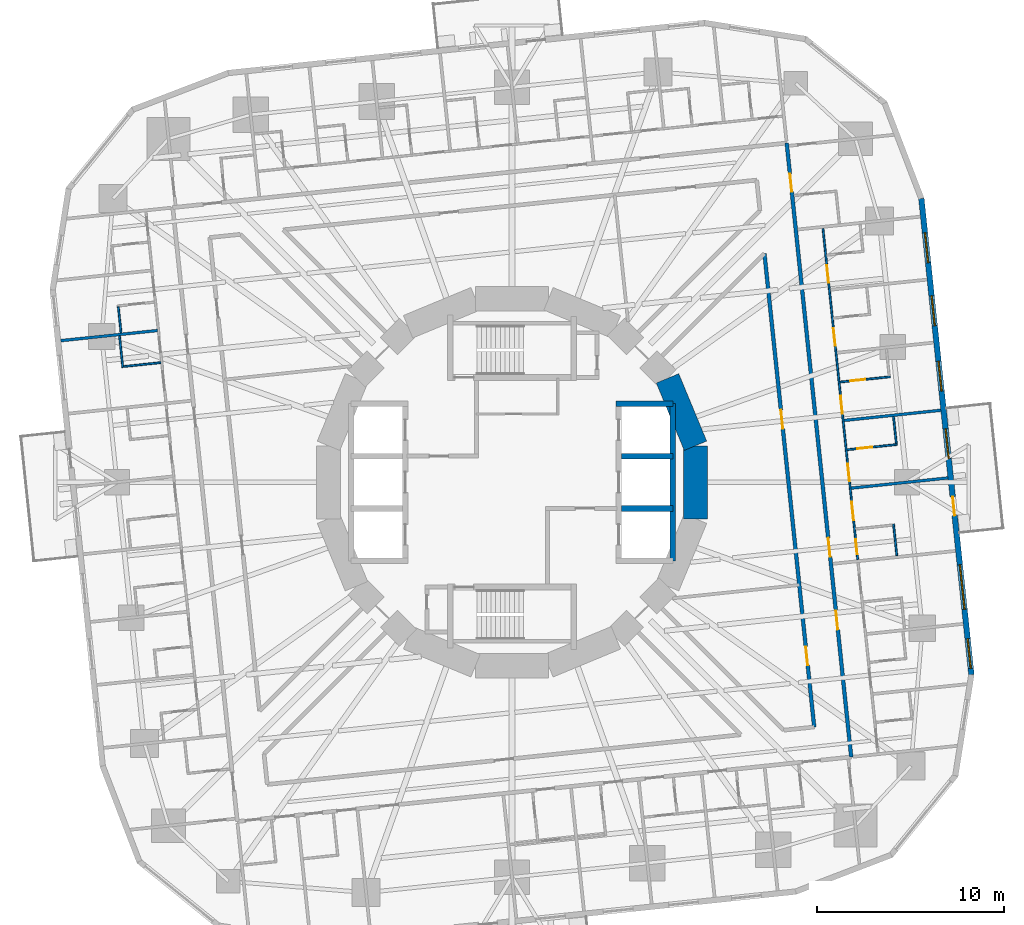
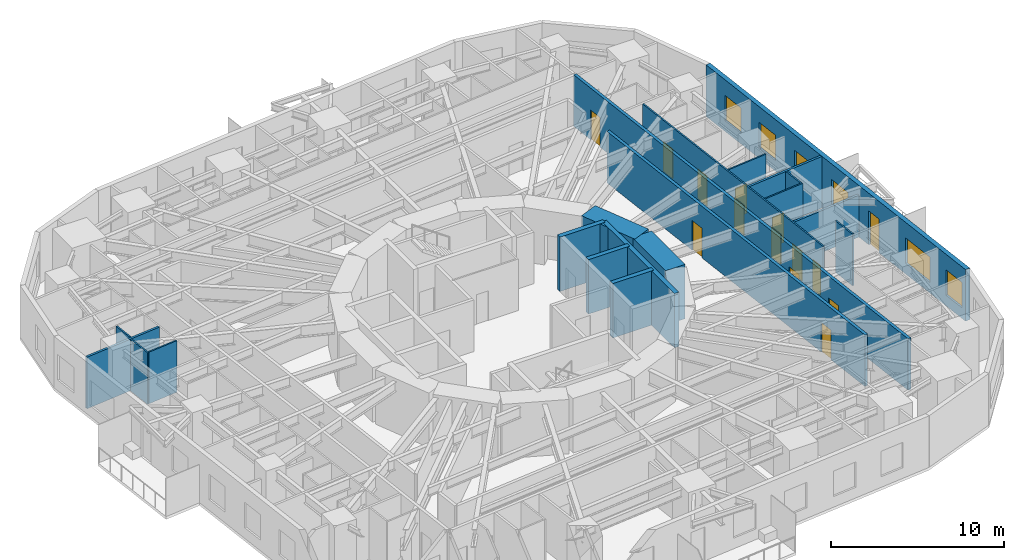
# One storey, part 9 of 15: 20 walls, 14 doors, 6 windows, 20 openings.
"""IFC4 building model written with IfcOpenShell, lengths in metres."""

from ifc_helpers import new_model, si_unit, direction, frame, frame_2d, origin, place, context, subcontext, project, spatial, rectangle, extrude, material, layer, layer_set, type_object, element, fill, save


model = new_model("IFC4")

# Units and contexts
model_context = context("Model", 3, precision=1e-05, world=origin(), true_north=direction((0.0, 1.0)))
body_context = subcontext(model_context, "Body", "Model", "MODEL_VIEW")
ifc_project = project(units=[si_unit("LENGTHUNIT", "METRE"), si_unit("AREAUNIT", "SQUARE_METRE"), si_unit("VOLUMEUNIT", "CUBIC_METRE"), si_unit("PLANEANGLEUNIT", "RADIAN"), si_unit("MASSUNIT", "GRAM", prefix="KILO")], contexts=[model_context])

# Site, building, storey
site_placement = place(None, origin())
site = spatial("IfcSite", under=ifc_project, at=site_placement, CompositionType="ELEMENT")
building_placement = place(site_placement, origin())
building = spatial("IfcBuilding", under=site, at=building_placement, Name="Nakasero Lantern House", CompositionType="ELEMENT")
storey_placement = place(building_placement, frame((0.0, 0.0, 68.199951171875)))
storey = spatial("IfcBuildingStorey", under=building, at=storey_placement, Name="L16", CompositionType="ELEMENT", Elevation=68.199951171875)

# Wall, openings, doors
ifc_material_1 = material(Name="Blockwork", Category="masonry")
ifc_layer_1 = layer(ifc_material_1, 0.10009765625)
ifc_layer_set_1 = layer_set([ifc_layer_1], Name="Cluster hall wall 100")
wall_type_1 = type_object("IfcWallType", Name="Cluster hall wall 100", PredefinedType="PARTITIONING", material=ifc_layer_set_1)
wall_1_placement = place(storey_placement, frame((18.484375, -4.143798828125, 0.0), z_axis=(0.0, 0.0, 1.0), x_axis=(-0.104524313484, 0.994522331519, 0.0)))
wall_1 = element("IfcWall", 1, at=wall_1_placement, inside=storey, type_object=wall_type_1, Name="Cluster hall wall L16 HW0-1", PredefinedType="PARTITIONING", context=body_context, shape_type="SweptSolid", body=[
    extrude(rectangle(XDim=17.8193359375, YDim=0.10009765625, at=frame_2d((8.90966796875, 0.0))), origin(), (0.0, 0.0, 1.0), 3.650146484375),
])
opening_1_placement = place(wall_1_placement, frame((2.125, 0.0, 0.0)))
opening_1 = element("IfcOpeningElement", 2, at=opening_1_placement, cuts=wall_1, Name="Opening D03", PredefinedType="OPENING", context=body_context, shape_type="SweptSolid", body=[
    extrude(rectangle(XDim=1.0, YDim=2.10009765625, at=frame_2d((0.5, 1.050048828125))), frame((0.0, 0.070068359375, 0.0), z_axis=(0.0, -1.0, 0.0), x_axis=(1.0, 0.0, 0.0)), (0.0, 0.0, 1.0), 0.14013671875),
])
opening_2_placement = place(wall_1_placement, frame((0.300048828125, 0.0, 0.0)))
opening_2 = element("IfcOpeningElement", 3, at=opening_2_placement, cuts=wall_1, Name="Opening D02", PredefinedType="OPENING", context=body_context, shape_type="SweptSolid", body=[
    extrude(rectangle(XDim=0.800048828125, YDim=2.10009765625, at=frame_2d((0.39990234375, 1.050048828125))), frame((0.0, 0.070068359375, 0.0), z_axis=(0.0, -1.0, 0.0), x_axis=(1.0, 0.0, 0.0)), (0.0, 0.0, 1.0), 0.14013671875),
])
opening_3_placement = place(wall_1_placement, frame((4.22119140625, 0.0, 0.0)))
opening_3 = element("IfcOpeningElement", 4, at=opening_3_placement, cuts=wall_1, Name="Opening D01", PredefinedType="OPENING", context=body_context, shape_type="SweptSolid", body=[
    extrude(rectangle(XDim=0.949951171875, YDim=2.10009765625, at=frame_2d((0.47509765625, 1.050048828125))), frame((0.0, 0.070068359375, 0.0), z_axis=(0.0, -1.0, 0.0), x_axis=(1.0, 0.0, 0.0)), (0.0, 0.0, 1.0), 0.14013671875),
])
opening_4_placement = place(wall_1_placement, frame((7.859619140625, 0.0, 0.0)))
opening_4 = element("IfcOpeningElement", 5, at=opening_4_placement, cuts=wall_1, Name="Opening D01", PredefinedType="OPENING", context=body_context, shape_type="SweptSolid", body=[
    extrude(rectangle(XDim=0.949951171875, YDim=2.10009765625, at=frame_2d((0.47509765625, 1.050048828125))), frame((0.0, 0.070068359375, 0.0), z_axis=(0.0, -1.0, 0.0), x_axis=(1.0, 0.0, 0.0)), (0.0, 0.0, 1.0), 0.14013671875),
])
opening_5_placement = place(wall_1_placement, frame((11.498291015625, 0.0, 0.0)))
opening_5 = element("IfcOpeningElement", 6, at=opening_5_placement, cuts=wall_1, Name="Opening D01", PredefinedType="OPENING", context=body_context, shape_type="SweptSolid", body=[
    extrude(rectangle(XDim=0.949951171875, YDim=2.10009765625, at=frame_2d((0.47509765625, 1.050048828125))), frame((0.0, 0.070068359375, 0.0), z_axis=(0.0, -1.0, 0.0), x_axis=(1.0, 0.0, 0.0)), (0.0, 0.0, 1.0), 0.14013671875),
])
opening_6_placement = place(wall_1_placement, frame((14.8837890625, 0.0, 0.0)))
opening_6 = element("IfcOpeningElement", 7, at=opening_6_placement, cuts=wall_1, Name="Opening D01", PredefinedType="OPENING", context=body_context, shape_type="SweptSolid", body=[
    extrude(rectangle(XDim=0.949951171875, YDim=2.10009765625, at=frame_2d((0.47509765625, 1.050048828125))), frame((0.0, 0.070068359375, 0.0), z_axis=(0.0, -1.0, 0.0), x_axis=(1.0, 0.0, 0.0)), (0.0, 0.0, 1.0), 0.14013671875),
])
ifc_material_2 = material(Name="Timber C24", Category="wood")
door_type_1 = type_object("IfcDoorType", Name="Bedroom door FD30S 950", OperationType="SINGLE_SWING_LEFT", PredefinedType="DOOR", material=ifc_material_2)
door_1_placement = place(opening_3_placement, origin())
door_1 = element("IfcDoor", 8, at=door_1_placement, inside=storey, type_object=door_type_1, Name="Door L16 D0-04", OperationType="SINGLE_SWING_LEFT", OverallHeight=2.10009765625, OverallWidth=0.949951171875, PredefinedType="DOOR", context=body_context, shape_type="SweptSolid", body=[
    extrude(rectangle(XDim=0.949951171875, YDim=2.10009765625, at=frame_2d((0.47509765625, 1.050048828125))), frame((0.0, 0.02490234375, 0.0), z_axis=(0.0, -1.0, 0.0), x_axis=(1.0, 0.0, 0.0)), (0.0, 0.0, 1.0), 0.050048828125),
])
fill(opening_3, door_1)
door_2_placement = place(opening_4_placement, origin())
door_2 = element("IfcDoor", 9, at=door_2_placement, inside=storey, type_object=door_type_1, Name="Door L16 D0-05", OperationType="SINGLE_SWING_LEFT", OverallHeight=2.10009765625, OverallWidth=0.949951171875, PredefinedType="DOOR", context=body_context, shape_type="SweptSolid", body=[
    extrude(rectangle(XDim=0.949951171875, YDim=2.10009765625, at=frame_2d((0.47509765625, 1.050048828125))), frame((0.0, 0.02490234375, 0.0), z_axis=(0.0, -1.0, 0.0), x_axis=(1.0, 0.0, 0.0)), (0.0, 0.0, 1.0), 0.050048828125),
])
fill(opening_4, door_2)
door_3_placement = place(opening_5_placement, origin())
door_3 = element("IfcDoor", 10, at=door_3_placement, inside=storey, type_object=door_type_1, Name="Door L16 D0-06", OperationType="SINGLE_SWING_RIGHT", OverallHeight=2.10009765625, OverallWidth=0.949951171875, PredefinedType="DOOR", context=body_context, shape_type="SweptSolid", body=[
    extrude(rectangle(XDim=0.949951171875, YDim=2.10009765625, at=frame_2d((0.47509765625, 1.050048828125))), frame((0.0, 0.02490234375, 0.0), z_axis=(0.0, -1.0, 0.0), x_axis=(1.0, 0.0, 0.0)), (0.0, 0.0, 1.0), 0.050048828125),
])
fill(opening_5, door_3)
door_4_placement = place(opening_6_placement, origin())
door_4 = element("IfcDoor", 11, at=door_4_placement, inside=storey, type_object=door_type_1, Name="Door L16 D0-07", OperationType="SINGLE_SWING_RIGHT", OverallHeight=2.10009765625, OverallWidth=0.949951171875, PredefinedType="DOOR", context=body_context, shape_type="SweptSolid", body=[
    extrude(rectangle(XDim=0.949951171875, YDim=2.10009765625, at=frame_2d((0.47509765625, 1.050048828125))), frame((0.0, 0.02490234375, 0.0), z_axis=(0.0, -1.0, 0.0), x_axis=(1.0, 0.0, 0.0)), (0.0, 0.0, 1.0), 0.050048828125),
])
fill(opening_6, door_4)
ifc_material_3 = material(Name="Timber C24", Category="wood")
door_type_2 = type_object("IfcDoorType", Name="En-suite door 800", OperationType="SINGLE_SWING_RIGHT", PredefinedType="DOOR", material=ifc_material_3)
door_5_placement = place(opening_2_placement, origin())
door_5 = element("IfcDoor", 12, at=door_5_placement, inside=storey, type_object=door_type_2, Name="Door L16 DSH0-1", OperationType="SINGLE_SWING_LEFT", OverallHeight=2.10009765625, OverallWidth=0.800048828125, PredefinedType="DOOR", context=body_context, shape_type="SweptSolid", body=[
    extrude(rectangle(XDim=0.800048828125, YDim=2.10009765625, at=frame_2d((0.39990234375, 1.050048828125))), frame((0.0, 0.02490234375, 0.0), z_axis=(0.0, -1.0, 0.0), x_axis=(1.0, 0.0, 0.0)), (0.0, 0.0, 1.0), 0.050048828125),
])
fill(opening_2, door_5)
ifc_material_4 = material(Name="Timber C24", Category="wood")
door_type_3 = type_object("IfcDoorType", Name="Lounge door FD30S 1000", OperationType="SINGLE_SWING_LEFT", PredefinedType="DOOR", material=ifc_material_4)
door_6_placement = place(opening_1_placement, origin())
door_6 = element("IfcDoor", 13, at=door_6_placement, inside=storey, type_object=door_type_3, Name="Door L16 DH0-1", OperationType="SINGLE_SWING_LEFT", OverallHeight=2.10009765625, OverallWidth=1.0, PredefinedType="DOOR", context=body_context, shape_type="SweptSolid", body=[
    extrude(rectangle(XDim=1.0, YDim=2.10009765625, at=frame_2d((0.5, 1.050048828125))), frame((0.0, 0.02490234375, 0.0), z_axis=(0.0, -1.0, 0.0), x_axis=(1.0, 0.0, 0.0)), (0.0, 0.0, 1.0), 0.050048828125),
])
fill(opening_1, door_6)

# Walls
ifc_material_5 = material(Name="Concrete C50/60", Category="concrete")
ifc_layer_2 = layer(ifc_material_5, 0.300048828125)
ifc_layer_set_2 = layer_set([ifc_layer_2], Name="Core inner wall 300")
wall_type_2 = type_object("IfcWallType", Name="Core inner wall 300", PredefinedType="SHEAR", material=ifc_layer_set_2)
wall_2_placement = place(storey_placement, frame((5.550048828125, 4.199951171875, 0.0), z_axis=(0.0, 0.0, 1.0), x_axis=(1.0, 0.0, 0.0)))
element("IfcWall", 14, at=wall_2_placement, inside=storey, type_object=wall_type_2, Name="Core inner wall L16 LEN", PredefinedType="SHEAR", context=body_context, shape_type="SweptSolid", body=[
    extrude(rectangle(XDim=3.050048828125, YDim=0.300048828125, at=frame_2d((1.52490234375, 0.0))), origin(), (0.0, 0.0, 1.0), 3.85009765625),
])
wall_3_placement = place(storey_placement, frame((8.60009765625, -4.199951171875, 0.0), z_axis=(0.0, 0.0, 1.0), x_axis=(0.0, 1.0, 0.0)))
element("IfcWall", 15, at=wall_3_placement, inside=storey, type_object=wall_type_2, Name="Core inner wall L16 LEB", PredefinedType="SHEAR", context=body_context, shape_type="SweptSolid", body=[
    extrude(rectangle(XDim=8.39990234375, YDim=0.300048828125, at=frame_2d((4.199951171875, 0.0))), origin(), (0.0, 0.0, 1.0), 3.85009765625),
])
for number, where, z_axis, x_axis, name in (
    (16, (5.85009765625, -1.39990234375, 0.0), (0.0, 0.0, 1.0), (1.0, 0.0, 0.0), "Core inner wall L16 LE1"),
    (17, (5.85009765625, 1.39990234375, 0.0), (0.0, 0.0, 1.0), (1.0, 0.0, 0.0), "Core inner wall L16 LE2"),
):
    element("IfcWall", number, at=place(storey_placement, frame(where, z_axis=z_axis, x_axis=x_axis)), inside=storey, type_object=wall_type_2, Name=name, PredefinedType="SHEAR", context=body_context, shape_type="SweptSolid", body=[
        extrude(rectangle(XDim=2.75, YDim=0.300048828125, at=frame_2d((1.375, 0.0))), origin(), (0.0, 0.0, 1.0), 3.85009765625),
    ])
ifc_material_6 = material(Name="Concrete C50/60", Category="concrete")
ifc_layer_3 = layer(ifc_material_6, 1.300048828125)
ifc_layer_set_3 = layer_set([ifc_layer_3], Name="Core wall 1300")
wall_type_3 = type_object("IfcWallType", Name="Core wall 1300", PredefinedType="SHEAR", material=ifc_layer_set_3)
for number, where, z_axis, x_axis, name in (
    (18, (9.807861328125, 1.950927734375, 0.0), (0.0, 0.0, 1.0), (-0.382690736062, 0.923876507187, 0.0), "Core wall L16 facet 1"),
    (19, (9.807861328125, -1.950927734375, 0.0), (0.0, 0.0, 1.0), (0.0, 1.0, 0.0), "Core wall L16 facet 16"),
):
    element("IfcWall", number, at=place(storey_placement, frame(where, z_axis=z_axis, x_axis=x_axis)), inside=storey, type_object=wall_type_3, Name=name, PredefinedType="SHEAR", context=body_context, shape_type="SweptSolid", body=[
        extrude(rectangle(XDim=3.90185546875, YDim=1.300048828125, at=frame_2d((1.950927734375, 0.0))), origin(), (0.0, 0.0, 1.0), 3.85009765625),
    ])

# Wall, openings, doors
ifc_material_7 = material(Name="Blockwork", Category="masonry")
ifc_layer_4 = layer(ifc_material_7, 0.199951171875)
ifc_layer_set_4 = layer_set([ifc_layer_4], Name="Corridor wall 200")
wall_type_4 = type_object("IfcWallType", Name="Corridor wall 200", PredefinedType="PARTITIONING", material=ifc_layer_set_4)
wall_4_placement = place(storey_placement, frame((18.13427734375, -14.684814453125, 0.0), z_axis=(0.0, 0.0, 1.0), x_axis=(-0.10452958258, 0.994521777723, 0.0)))
wall_4 = element("IfcWall", 20, at=wall_4_placement, inside=storey, type_object=wall_type_4, Name="Corridor wall L16 CW0", PredefinedType="PARTITIONING", context=body_context, shape_type="SweptSolid", body=[
    extrude(rectangle(XDim=32.999755859375, YDim=0.199951171875, at=frame_2d((16.5, 0.0))), origin(), (0.0, 0.0, 1.0), 3.650146484375),
])
opening_7_placement = place(wall_4_placement, frame((6.8505859375, 0.0, 0.0)))
opening_7 = element("IfcOpeningElement", 21, at=opening_7_placement, cuts=wall_4, Name="Opening D14", PredefinedType="OPENING", context=body_context, shape_type="SweptSolid", body=[
    extrude(rectangle(XDim=1.0, YDim=2.10009765625, at=frame_2d((0.5, 1.050048828125))), frame((0.0, 0.119873046875, 0.0), z_axis=(0.0, -1.0, 0.0), x_axis=(1.0, 0.0, 0.0)), (0.0, 0.0, 1.0), 0.239990234375),
])
opening_8_placement = place(wall_4_placement, frame((10.771728515625, 0.0, 0.0)))
opening_8 = element("IfcOpeningElement", 22, at=opening_8_placement, cuts=wall_4, Name="Opening D14", PredefinedType="OPENING", context=body_context, shape_type="SweptSolid", body=[
    extrude(rectangle(XDim=1.0, YDim=2.10009765625, at=frame_2d((0.5, 1.050048828125))), frame((0.0, 0.119873046875, 0.0), z_axis=(0.0, -1.0, 0.0), x_axis=(1.0, 0.0, 0.0)), (0.0, 0.0, 1.0), 0.239990234375),
])
opening_9_placement = place(wall_4_placement, frame((30.39111328125, 0.0, 0.0)))
opening_9 = element("IfcOpeningElement", 23, at=opening_9_placement, cuts=wall_4, Name="Opening D01", PredefinedType="OPENING", context=body_context, shape_type="SweptSolid", body=[
    extrude(rectangle(XDim=0.949951171875, YDim=2.10009765625, at=frame_2d((0.47509765625, 1.050048828125))), frame((0.0, 0.119873046875, 0.0), z_axis=(0.0, -1.0, 0.0), x_axis=(1.0, 0.0, 0.0)), (0.0, 0.0, 1.0), 0.239990234375),
])
door_7_placement = place(opening_9_placement, origin())
door_7 = element("IfcDoor", 24, at=door_7_placement, inside=storey, type_object=door_type_1, Name="Door L16 D0-08", OperationType="SINGLE_SWING_RIGHT", OverallHeight=2.10009765625, OverallWidth=0.949951171875, PredefinedType="DOOR", context=body_context, shape_type="SweptSolid", body=[
    extrude(rectangle(XDim=0.949951171875, YDim=2.10009765625, at=frame_2d((0.47509765625, 1.050048828125))), frame((0.0, 0.02490234375, 0.0), z_axis=(0.0, -1.0, 0.0), x_axis=(1.0, 0.0, 0.0)), (0.0, 0.0, 1.0), 0.050048828125),
])
fill(opening_9, door_7)
ifc_material_8 = material(Name="Timber C24", Category="wood")
door_type_4 = type_object("IfcDoorType", Name="Cluster entrance door FD30S 1000", OperationType="SINGLE_SWING_LEFT", PredefinedType="DOOR", material=ifc_material_8)
door_8_placement = place(opening_7_placement, origin())
door_8 = element("IfcDoor", 25, at=door_8_placement, inside=storey, type_object=door_type_4, Name="Door L16 DF0-0", OperationType="SINGLE_SWING_LEFT", OverallHeight=2.10009765625, OverallWidth=1.0, PredefinedType="DOOR", context=body_context, shape_type="SweptSolid", body=[
    extrude(rectangle(XDim=1.0, YDim=2.10009765625, at=frame_2d((0.5, 1.050048828125))), frame((0.0, 0.02490234375, 0.0), z_axis=(0.0, -1.0, 0.0), x_axis=(1.0, 0.0, 0.0)), (0.0, 0.0, 1.0), 0.050048828125),
])
fill(opening_7, door_8)
door_9_placement = place(opening_8_placement, origin())
door_9 = element("IfcDoor", 26, at=door_9_placement, inside=storey, type_object=door_type_4, Name="Door L16 DF0-1", OperationType="SINGLE_SWING_LEFT", OverallHeight=2.10009765625, OverallWidth=1.0, PredefinedType="DOOR", context=body_context, shape_type="SweptSolid", body=[
    extrude(rectangle(XDim=1.0, YDim=2.10009765625, at=frame_2d((0.5, 1.050048828125))), frame((0.0, 0.02490234375, 0.0), z_axis=(0.0, -1.0, 0.0), x_axis=(1.0, 0.0, 0.0)), (0.0, 0.0, 1.0), 0.050048828125),
])
fill(opening_8, door_9)

wall_5_placement = place(storey_placement, frame((16.156005859375, -13.0830078125, 0.0), z_axis=(0.0, 0.0, 1.0), x_axis=(-0.104522963916, 0.994522473358, 0.0)))
wall_5 = element("IfcWall", 27, at=wall_5_placement, inside=storey, type_object=wall_type_4, Name="Corridor wall L16 IW0-0", PredefinedType="PARTITIONING", context=body_context, shape_type="SweptSolid", body=[
    extrude(rectangle(XDim=25.44580078125, YDim=0.199951171875, at=frame_2d((12.722900390625, 0.0))), origin(), (0.0, 0.0, 1.0), 3.650146484375),
])
opening_10_placement = place(wall_5_placement, frame((3.31689453125, 0.0, 0.0)))
opening_10 = element("IfcOpeningElement", 28, at=opening_10_placement, cuts=wall_5, Name="Opening D07", PredefinedType="OPENING", context=body_context, shape_type="SweptSolid", body=[
    extrude(rectangle(XDim=1.0, YDim=2.10009765625, at=frame_2d((0.5, 1.050048828125))), frame((0.0, 0.119873046875, 0.0), z_axis=(0.0, -1.0, 0.0), x_axis=(1.0, 0.0, 0.0)), (0.0, 0.0, 1.0), 0.239990234375),
])
opening_11_placement = place(wall_5_placement, frame((16.039794921875, 0.0, 0.0)))
opening_11 = element("IfcOpeningElement", 29, at=opening_11_placement, cuts=wall_5, Name="Opening D07", PredefinedType="OPENING", context=body_context, shape_type="SweptSolid", body=[
    extrude(rectangle(XDim=1.0, YDim=2.10009765625, at=frame_2d((0.5, 1.050048828125))), frame((0.0, 0.119873046875, 0.0), z_axis=(0.0, -1.0, 0.0), x_axis=(1.0, 0.0, 0.0)), (0.0, 0.0, 1.0), 0.239990234375),
])
ifc_material_9 = material(Name="Timber C24", Category="wood")
door_type_5 = type_object("IfcDoorType", Name="Room door FD30S 1000", OperationType="SINGLE_SWING_LEFT", PredefinedType="DOOR", material=ifc_material_9)
door_10_placement = place(opening_10_placement, origin())
door_10 = element("IfcDoor", 30, at=door_10_placement, inside=storey, type_object=door_type_5, Name="Door L16 DI1", OperationType="SINGLE_SWING_LEFT", OverallHeight=2.10009765625, OverallWidth=1.0, PredefinedType="DOOR", context=body_context, shape_type="SweptSolid", body=[
    extrude(rectangle(XDim=1.0, YDim=2.10009765625, at=frame_2d((0.5, 1.050048828125))), frame((0.0, 0.02490234375, 0.0), z_axis=(0.0, -1.0, 0.0), x_axis=(1.0, 0.0, 0.0)), (0.0, 0.0, 1.0), 0.050048828125),
])
fill(opening_10, door_10)
door_11_placement = place(opening_11_placement, origin())
door_11 = element("IfcDoor", 31, at=door_11_placement, inside=storey, type_object=door_type_5, Name="Door L16 DI1S", OperationType="SINGLE_SWING_RIGHT", OverallHeight=2.10009765625, OverallWidth=1.0, PredefinedType="DOOR", context=body_context, shape_type="SweptSolid", body=[
    extrude(rectangle(XDim=1.0, YDim=2.10009765625, at=frame_2d((0.5, 1.050048828125))), frame((0.0, 0.02490234375, 0.0), z_axis=(0.0, -1.0, 0.0), x_axis=(1.0, 0.0, 0.0)), (0.0, 0.0, 1.0), 0.050048828125),
])
fill(opening_11, door_11)

# Wall
ifc_material_10 = material(Name="Blockwork", Category="masonry")
ifc_layer_5 = layer(ifc_material_10, 0.10009765625)
ifc_layer_set_5 = layer_set([ifc_layer_5], Name="En-suite wall 100")
wall_type_5 = type_object("IfcWallType", Name="En-suite wall 100", PredefinedType="PARTITIONING", material=ifc_layer_set_5)
wall_6_placement = place(storey_placement, frame((20.572998046875, -3.92431640625, 0.0), z_axis=(0.0, 0.0, 1.0), x_axis=(-0.104550220202, 0.994519608382, 0.0)))
element("IfcWall", 32, at=wall_6_placement, inside=storey, type_object=wall_type_5, Name="En-suite wall L16 SE0-1", PredefinedType="PARTITIONING", context=body_context, shape_type="SweptSolid", body=[
    extrude(rectangle(XDim=1.699951171875, YDim=0.10009765625, at=frame_2d((0.85009765625, 0.0))), origin(), (0.0, 0.0, 1.0), 3.650146484375),
])

# Wall, opening, door
wall_7_placement = place(storey_placement, frame((17.91650390625, 1.73876953125, 0.0), z_axis=(0.0, 0.0, 1.0), x_axis=(0.994521297289, 0.104534153452, 0.0)))
wall_7 = element("IfcWall", 33, at=wall_7_placement, inside=storey, type_object=wall_type_5, Name="En-suite wall L16 ES0-04", PredefinedType="PARTITIONING", context=body_context, shape_type="SweptSolid", body=[
    extrude(rectangle(XDim=2.699951171875, YDim=0.10009765625, at=frame_2d((1.35009765625, 0.0))), origin(), (0.0, 0.0, 1.0), 3.650146484375),
])
opening_12_placement = place(wall_7_placement, frame((0.550048828125, 0.0, 0.0)))
opening_12 = element("IfcOpeningElement", 34, at=opening_12_placement, cuts=wall_7, Name="Opening D02", PredefinedType="OPENING", context=body_context, shape_type="SweptSolid", body=[
    extrude(rectangle(XDim=0.800048828125, YDim=2.10009765625, at=frame_2d((0.39990234375, 1.050048828125))), frame((0.0, 0.070068359375, 0.0), z_axis=(0.0, -1.0, 0.0), x_axis=(1.0, 0.0, 0.0)), (0.0, 0.0, 1.0), 0.14013671875),
])
door_12_placement = place(opening_12_placement, origin())
door_12 = element("IfcDoor", 35, at=door_12_placement, inside=storey, type_object=door_type_2, Name="Door L16 DE0-04", OperationType="SINGLE_SWING_LEFT", OverallHeight=2.10009765625, OverallWidth=0.800048828125, PredefinedType="DOOR", context=body_context, shape_type="SweptSolid", body=[
    extrude(rectangle(XDim=0.800048828125, YDim=2.10009765625, at=frame_2d((0.39990234375, 1.050048828125))), frame((0.0, 0.02490234375, 0.0), z_axis=(0.0, -1.0, 0.0), x_axis=(1.0, 0.0, 0.0)), (0.0, 0.0, 1.0), 0.050048828125),
])
fill(opening_12, door_12)

# Wall
wall_8_placement = place(storey_placement, frame((20.546630859375, 2.0654296875, 0.0), z_axis=(0.0, 0.0, 1.0), x_axis=(-0.10455332221, 0.994519282274, 0.0)))
element("IfcWall", 36, at=wall_8_placement, inside=storey, type_object=wall_type_5, Name="En-suite wall L16 EE0-04", PredefinedType="PARTITIONING", context=body_context, shape_type="SweptSolid", body=[
    extrude(rectangle(XDim=1.4501953125, YDim=0.10009765625, at=frame_2d((0.72509765625, 0.0))), origin(), (0.0, 0.0, 1.0), 3.650146484375),
])

# Wall, opening, door
wall_9_placement = place(storey_placement, frame((17.5361328125, 5.357421875, 0.0), z_axis=(0.0, 0.0, 1.0), x_axis=(0.994521297289, 0.104534153452, 0.0)))
wall_9 = element("IfcWall", 37, at=wall_9_placement, inside=storey, type_object=wall_type_5, Name="En-suite wall L16 ES0-05", PredefinedType="PARTITIONING", context=body_context, shape_type="SweptSolid", body=[
    extrude(rectangle(XDim=2.699951171875, YDim=0.10009765625, at=frame_2d((1.35009765625, 0.0))), origin(), (0.0, 0.0, 1.0), 3.650146484375),
])
opening_13_placement = place(wall_9_placement, frame((0.550048828125, 0.0, 0.0)))
opening_13 = element("IfcOpeningElement", 38, at=opening_13_placement, cuts=wall_9, Name="Opening D02", PredefinedType="OPENING", context=body_context, shape_type="SweptSolid", body=[
    extrude(rectangle(XDim=0.800048828125, YDim=2.10009765625, at=frame_2d((0.39990234375, 1.050048828125))), frame((0.0, 0.070068359375, 0.0), z_axis=(0.0, -1.0, 0.0), x_axis=(1.0, 0.0, 0.0)), (0.0, 0.0, 1.0), 0.14013671875),
])
door_13_placement = place(opening_13_placement, origin())
door_13 = element("IfcDoor", 39, at=door_13_placement, inside=storey, type_object=door_type_2, Name="Door L16 DE0-05", OperationType="SINGLE_SWING_LEFT", OverallHeight=2.10009765625, OverallWidth=0.800048828125, PredefinedType="DOOR", context=body_context, shape_type="SweptSolid", body=[
    extrude(rectangle(XDim=0.800048828125, YDim=2.10009765625, at=frame_2d((0.39990234375, 1.050048828125))), frame((0.0, 0.02490234375, 0.0), z_axis=(0.0, -1.0, 0.0), x_axis=(1.0, 0.0, 0.0)), (0.0, 0.0, 1.0), 0.050048828125),
])
fill(opening_13, door_13)

# Walls
wall_10_placement = place(storey_placement, frame((-18.771484375, 6.397216796875, 0.0), z_axis=(0.0, 0.0, 1.0), x_axis=(-0.994523910136, -0.104509292252, 0.0)))
element("IfcWall", 40, at=wall_10_placement, inside=storey, type_object=wall_type_5, Name="En-suite wall L16 SS2-0", PredefinedType="PARTITIONING", context=body_context, shape_type="SweptSolid", body=[
    extrude(rectangle(XDim=2.10009765625, YDim=0.10009765625, at=frame_2d((1.050048828125, 0.0))), origin(), (0.0, 0.0, 1.0), 3.650146484375),
])
wall_11_placement = place(storey_placement, frame((-20.982666015625, 7.823974609375, 0.0), z_axis=(0.0, 0.0, 1.0), x_axis=(0.104408173862, -0.994534530939, 0.0)))
element("IfcWall", 41, at=wall_11_placement, inside=storey, type_object=wall_type_5, Name="En-suite wall L16 SE2-0", PredefinedType="PARTITIONING", context=body_context, shape_type="SweptSolid", body=[
    extrude(rectangle(XDim=1.699951171875, YDim=0.10009765625, at=frame_2d((0.85009765625, 0.0))), origin(), (0.0, 0.0, 1.0), 3.650146484375),
])
wall_12_placement = place(storey_placement, frame((-21.04541015625, 9.3759765625, 0.0), z_axis=(0.0, 0.0, 1.0), x_axis=(0.104630319263, -0.994511184598, 0.0)))
element("IfcWall", 42, at=wall_12_placement, inside=storey, type_object=wall_type_5, Name="En-suite wall L16 EE2-01", PredefinedType="PARTITIONING", context=body_context, shape_type="SweptSolid", body=[
    extrude(rectangle(XDim=1.39990234375, YDim=0.10009765625, at=frame_2d((0.699951171875, 0.0))), origin(), (0.0, 0.0, 1.0), 3.650146484375),
])

# Wall, openings, door, windows
ifc_material_11 = material(Name="Aluminium rainscreen on blockwork", Category="masonry")
ifc_layer_6 = layer(ifc_material_11, 0.300048828125)
ifc_layer_set_6 = layer_set([ifc_layer_6], Name="Facade wall 300")
wall_type_6 = type_object("IfcWallType", Name="Facade wall 300", PredefinedType="SOLIDWALL", material=ifc_layer_set_6)
wall_13_placement = place(storey_placement, frame((24.56005859375, -10.2890625, 0.0), z_axis=(0.0, 0.0, 1.0), x_axis=(-0.104532378096, 0.994521483895, 0.0)))
wall_13 = element("IfcWall", 43, at=wall_13_placement, inside=storey, type_object=wall_type_6, Name="Facade wall L16 FW0S", PredefinedType="SOLIDWALL", context=body_context, shape_type="SweptSolid", body=[
    extrude(rectangle(XDim=25.599853515625, YDim=0.300048828125, at=frame_2d((12.7998046875, 0.0))), origin(), (0.0, 0.0, 1.0), 3.650146484375),
])
opening_14_placement = place(wall_13_placement, frame((0.337890625, 0.0, 0.75)))
opening_14 = element("IfcOpeningElement", 44, at=opening_14_placement, cuts=wall_13, Name="Opening W01", PredefinedType="OPENING", context=body_context, shape_type="SweptSolid", body=[
    extrude(rectangle(XDim=1.60009765625, YDim=1.800048828125, at=frame_2d((0.800048828125, 0.89990234375))), frame((0.0, 0.169921875, 0.0), z_axis=(0.0, -1.0, 0.0), x_axis=(1.0, 0.0, 0.0)), (0.0, 0.0, 1.0), 0.340087890625),
])
opening_15_placement = place(wall_13_placement, frame((11.612060546875, 0.0, 0.75)))
opening_15 = element("IfcOpeningElement", 45, at=opening_15_placement, cuts=wall_13, Name="Opening W01", PredefinedType="OPENING", context=body_context, shape_type="SweptSolid", body=[
    extrude(rectangle(XDim=1.60009765625, YDim=1.800048828125, at=frame_2d((0.800048828125, 0.89990234375))), frame((0.0, 0.169921875, 0.0), z_axis=(0.0, -1.0, 0.0), x_axis=(1.0, 0.0, 0.0)), (0.0, 0.0, 1.0), 0.340087890625),
])
opening_16_placement = place(wall_13_placement, frame((15.250732421875, 0.0, 0.75)))
opening_16 = element("IfcOpeningElement", 46, at=opening_16_placement, cuts=wall_13, Name="Opening W01", PredefinedType="OPENING", context=body_context, shape_type="SweptSolid", body=[
    extrude(rectangle(XDim=1.60009765625, YDim=1.800048828125, at=frame_2d((0.800048828125, 0.89990234375))), frame((0.0, 0.169921875, 0.0), z_axis=(0.0, -1.0, 0.0), x_axis=(1.0, 0.0, 0.0)), (0.0, 0.0, 1.0), 0.340087890625),
])
opening_17_placement = place(wall_13_placement, frame((18.7626953125, 0.0, 0.75)))
opening_17 = element("IfcOpeningElement", 47, at=opening_17_placement, cuts=wall_13, Name="Opening W01", PredefinedType="OPENING", context=body_context, shape_type="SweptSolid", body=[
    extrude(rectangle(XDim=1.60009765625, YDim=1.800048828125, at=frame_2d((0.800048828125, 0.89990234375))), frame((0.0, 0.169921875, 0.0), z_axis=(0.0, -1.0, 0.0), x_axis=(1.0, 0.0, 0.0)), (0.0, 0.0, 1.0), 0.340087890625),
])
opening_18_placement = place(wall_13_placement, frame((22.1484375, 0.0, 0.75)))
opening_18 = element("IfcOpeningElement", 48, at=opening_18_placement, cuts=wall_13, Name="Opening W01", PredefinedType="OPENING", context=body_context, shape_type="SweptSolid", body=[
    extrude(rectangle(XDim=1.60009765625, YDim=1.800048828125, at=frame_2d((0.800048828125, 0.89990234375))), frame((0.0, 0.169921875, 0.0), z_axis=(0.0, -1.0, 0.0), x_axis=(1.0, 0.0, 0.0)), (0.0, 0.0, 1.0), 0.340087890625),
])
opening_19_placement = place(wall_13_placement, frame((3.51123046875, 0.0, 0.75)))
opening_19 = element("IfcOpeningElement", 49, at=opening_19_placement, cuts=wall_13, Name="Opening W03", PredefinedType="OPENING", context=body_context, shape_type="SweptSolid", body=[
    extrude(rectangle(XDim=2.39990234375, YDim=1.800048828125, at=frame_2d((1.199951171875, 0.89990234375))), frame((0.0, 0.169921875, 0.0), z_axis=(0.0, -1.0, 0.0), x_axis=(1.0, 0.0, 0.0)), (0.0, 0.0, 1.0), 0.340087890625),
])
opening_20_placement = place(wall_13_placement, frame((8.558837890625, 0.0, 0.0)))
opening_20 = element("IfcOpeningElement", 50, at=opening_20_placement, cuts=wall_13, Name="Opening D04", PredefinedType="OPENING", context=body_context, shape_type="SweptSolid", body=[
    extrude(rectangle(XDim=1.0, YDim=2.39990234375, at=frame_2d((0.5, 1.199951171875))), frame((0.0, 0.169921875, 0.0), z_axis=(0.0, -1.0, 0.0), x_axis=(1.0, 0.0, 0.0)), (0.0, 0.0, 1.0), 0.340087890625),
])
ifc_material_12 = material(Name="Aluminium 6063-T6 and glass", Category="aluminium")
door_type_6 = type_object("IfcDoorType", Name="Balcony door 1000x2400", OperationType="SINGLE_SWING_RIGHT", PredefinedType="DOOR", material=ifc_material_12)
door_14_placement = place(opening_20_placement, origin())
door_14 = element("IfcDoor", 51, at=door_14_placement, inside=storey, type_object=door_type_6, Name="Balcony door L16 DB0", OperationType="SINGLE_SWING_RIGHT", OverallHeight=2.39990234375, OverallWidth=1.0, PredefinedType="DOOR", context=body_context, shape_type="SweptSolid", body=[
    extrude(rectangle(XDim=1.0, YDim=2.39990234375, at=frame_2d((0.5, 1.199951171875))), frame((0.0, 0.02490234375, 0.0), z_axis=(0.0, -1.0, 0.0), x_axis=(1.0, 0.0, 0.0)), (0.0, 0.0, 1.0), 0.050048828125),
])
fill(opening_20, door_14)
ifc_material_13 = material(Name="Aluminium 6063-T6 and glass", Category="aluminium")
window_type_1 = type_object("IfcWindowType", Name="Bedroom window 1600x1800", PartitioningType="SINGLE_PANEL", PredefinedType="WINDOW", material=ifc_material_13)
window_1_placement = place(opening_14_placement, origin())
window_1 = element("IfcWindow", 52, at=window_1_placement, inside=storey, type_object=window_type_1, Name="Window L16 WN0-01", OverallHeight=1.800048828125, OverallWidth=1.60009765625, PartitioningType="SINGLE_PANEL", PredefinedType="WINDOW", context=body_context, shape_type="SweptSolid", body=[
    extrude(rectangle(XDim=1.60009765625, YDim=1.800048828125, at=frame_2d((0.800048828125, 0.89990234375))), frame((0.0, 0.030029296875, 0.0), z_axis=(0.0, -1.0, 0.0), x_axis=(1.0, 0.0, 0.0)), (0.0, 0.0, 1.0), 0.06005859375),
])
fill(opening_14, window_1)
window_2_placement = place(opening_15_placement, origin())
window_2 = element("IfcWindow", 53, at=window_2_placement, inside=storey, type_object=window_type_1, Name="Window L16 WN0-04", OverallHeight=1.800048828125, OverallWidth=1.60009765625, PartitioningType="SINGLE_PANEL", PredefinedType="WINDOW", context=body_context, shape_type="SweptSolid", body=[
    extrude(rectangle(XDim=1.60009765625, YDim=1.800048828125, at=frame_2d((0.800048828125, 0.89990234375))), frame((0.0, 0.030029296875, 0.0), z_axis=(0.0, -1.0, 0.0), x_axis=(1.0, 0.0, 0.0)), (0.0, 0.0, 1.0), 0.06005859375),
])
fill(opening_15, window_2)
window_3_placement = place(opening_16_placement, origin())
window_3 = element("IfcWindow", 54, at=window_3_placement, inside=storey, type_object=window_type_1, Name="Window L16 WN0-05", OverallHeight=1.800048828125, OverallWidth=1.60009765625, PartitioningType="SINGLE_PANEL", PredefinedType="WINDOW", context=body_context, shape_type="SweptSolid", body=[
    extrude(rectangle(XDim=1.60009765625, YDim=1.800048828125, at=frame_2d((0.800048828125, 0.89990234375))), frame((0.0, 0.030029296875, 0.0), z_axis=(0.0, -1.0, 0.0), x_axis=(1.0, 0.0, 0.0)), (0.0, 0.0, 1.0), 0.06005859375),
])
fill(opening_16, window_3)
window_4_placement = place(opening_17_placement, origin())
window_4 = element("IfcWindow", 55, at=window_4_placement, inside=storey, type_object=window_type_1, Name="Window L16 WN0-06", OverallHeight=1.800048828125, OverallWidth=1.60009765625, PartitioningType="SINGLE_PANEL", PredefinedType="WINDOW", context=body_context, shape_type="SweptSolid", body=[
    extrude(rectangle(XDim=1.60009765625, YDim=1.800048828125, at=frame_2d((0.800048828125, 0.89990234375))), frame((0.0, 0.030029296875, 0.0), z_axis=(0.0, -1.0, 0.0), x_axis=(1.0, 0.0, 0.0)), (0.0, 0.0, 1.0), 0.06005859375),
])
fill(opening_17, window_4)
window_5_placement = place(opening_18_placement, origin())
window_5 = element("IfcWindow", 56, at=window_5_placement, inside=storey, type_object=window_type_1, Name="Window L16 WN0-07", OverallHeight=1.800048828125, OverallWidth=1.60009765625, PartitioningType="SINGLE_PANEL", PredefinedType="WINDOW", context=body_context, shape_type="SweptSolid", body=[
    extrude(rectangle(XDim=1.60009765625, YDim=1.800048828125, at=frame_2d((0.800048828125, 0.89990234375))), frame((0.0, 0.030029296875, 0.0), z_axis=(0.0, -1.0, 0.0), x_axis=(1.0, 0.0, 0.0)), (0.0, 0.0, 1.0), 0.06005859375),
])
fill(opening_18, window_5)
ifc_material_14 = material(Name="Aluminium 6063-T6 and glass", Category="aluminium")
window_type_2 = type_object("IfcWindowType", Name="Lounge window 2400x1800", PartitioningType="SINGLE_PANEL", PredefinedType="WINDOW", material=ifc_material_14)
window_6_placement = place(opening_19_placement, origin())
window_6 = element("IfcWindow", 57, at=window_6_placement, inside=storey, type_object=window_type_2, Name="Window L16 WK0", OverallHeight=1.800048828125, OverallWidth=2.39990234375, PartitioningType="SINGLE_PANEL", PredefinedType="WINDOW", context=body_context, shape_type="SweptSolid", body=[
    extrude(rectangle(XDim=2.39990234375, YDim=1.800048828125, at=frame_2d((1.199951171875, 0.89990234375))), frame((0.0, 0.030029296875, 0.0), z_axis=(0.0, -1.0, 0.0), x_axis=(1.0, 0.0, 0.0)), (0.0, 0.0, 1.0), 0.06005859375),
])
fill(opening_19, window_6)

# Walls
ifc_material_15 = material(Name="Blockwork", Category="masonry")
ifc_layer_7 = layer(ifc_material_15, 0.14990234375)
ifc_layer_set_7 = layer_set([ifc_layer_7], Name="Party wall 150")
wall_type_7 = type_object("IfcWallType", Name="Party wall 150", PredefinedType="PARTITIONING", material=ifc_layer_set_7)
wall_14_placement = place(storey_placement, frame((18.132080078125, -0.3134765625, 0.0), z_axis=(0.0, 0.0, 1.0), x_axis=(0.994523959761, 0.104508820017, 0.0)))
element("IfcWall", 58, at=wall_14_placement, inside=storey, type_object=wall_type_7, Name="Party wall L16 PW0-04", PredefinedType="PARTITIONING", context=body_context, shape_type="SweptSolid", body=[
    extrude(rectangle(XDim=5.2001953125, YDim=0.14990234375, at=frame_2d((2.60009765625, 0.0))), origin(), (0.0, 0.0, 1.0), 2.966552734375),
])
wall_15_placement = place(storey_placement, frame((17.751708984375, 3.30517578125, 0.0), z_axis=(0.0, 0.0, 1.0), x_axis=(0.994523959761, 0.104508820017, 0.0)))
element("IfcWall", 59, at=wall_15_placement, inside=storey, type_object=wall_type_7, Name="Party wall L16 PW0-05", PredefinedType="PARTITIONING", context=body_context, shape_type="SweptSolid", body=[
    extrude(rectangle(XDim=5.2001953125, YDim=0.14990234375, at=frame_2d((2.60009765625, 0.0))), origin(), (0.0, 0.0, 1.0), 3.650146484375),
])
wall_16_placement = place(storey_placement, frame((-18.951904296875, 8.11279296875, 0.0), z_axis=(0.0, 0.0, 1.0), x_axis=(-0.994523446942, -0.104513699976, 0.0)))
element("IfcWall", 60, at=wall_16_placement, inside=storey, type_object=wall_type_7, Name="Party wall L16 PW2-02", PredefinedType="PARTITIONING", context=body_context, shape_type="SweptSolid", body=[
    extrude(rectangle(XDim=5.199951171875, YDim=0.14990234375, at=frame_2d((2.60009765625, 0.0))), origin(), (0.0, 0.0, 1.0), 3.650146484375),
])

save(model, "model.ifc")
